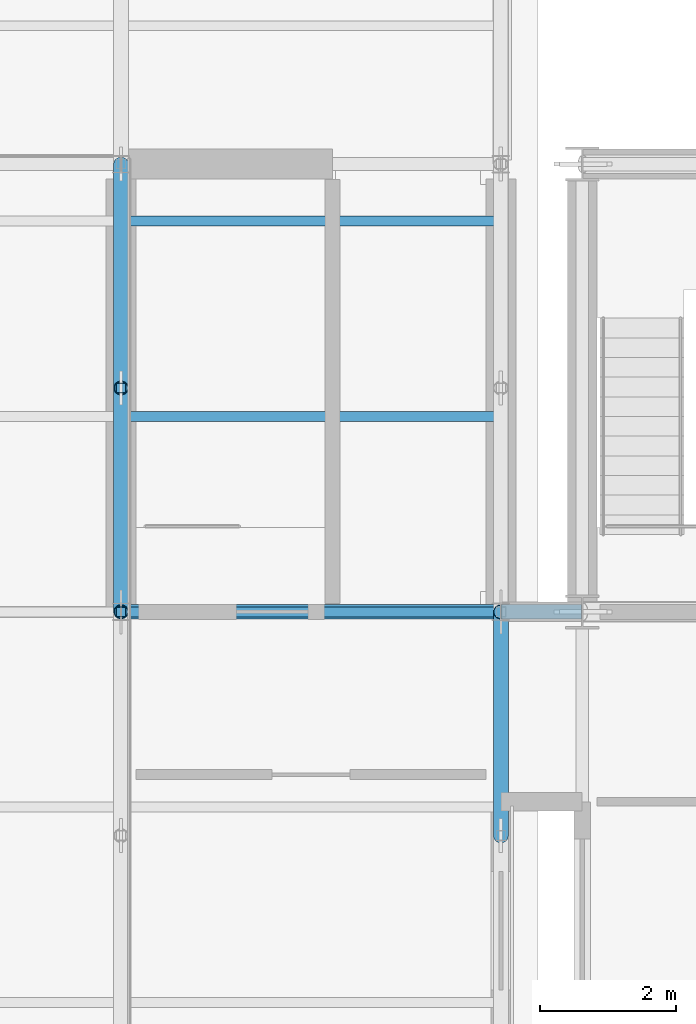
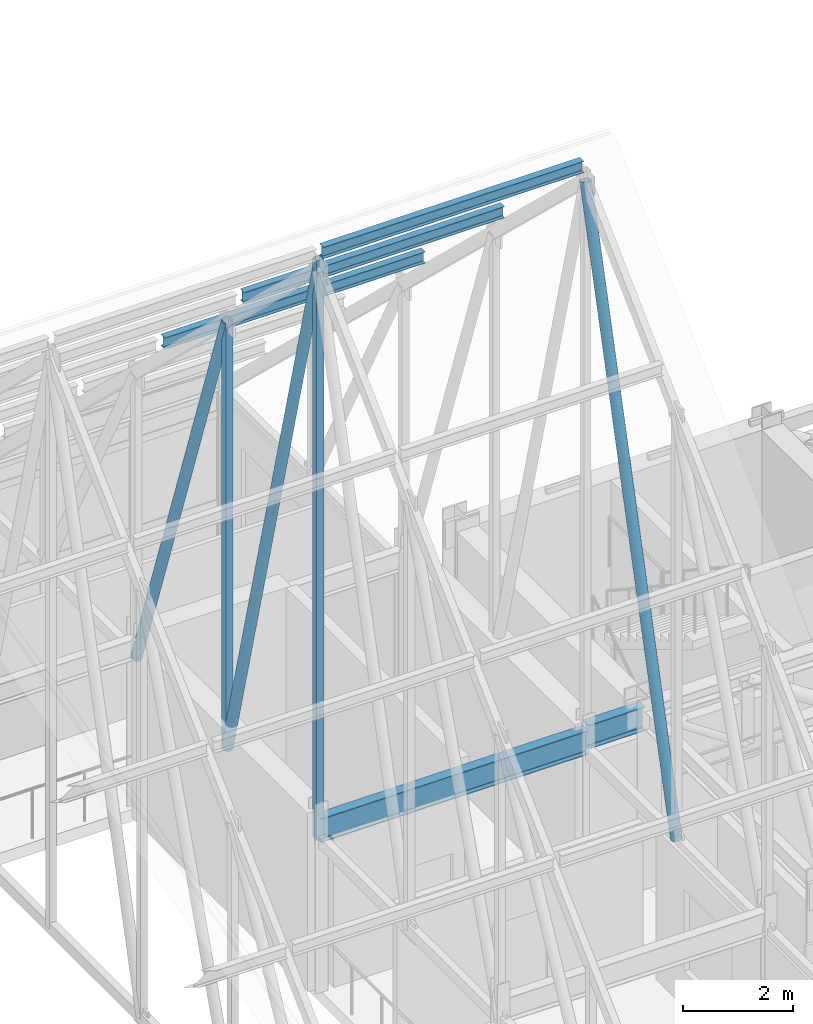
# One storey, part 54 of 144: 8 members, 2 beams.
"""IFC4 building model written with IfcOpenShell, lengths in metres."""

import ifcopenshell
import ifcopenshell.guid

model = None  # the IFC model being written
_history = None  # IfcOwnerHistory: only IFC2X3 demands one
_inside = {}  # id of a spatial element -> (the spatial element, [elements in it])
_under = {}  # id of a project, library or spatial element -> (it, [spatial elements below it])
_declared = {}  # id of a project -> (the project, [libraries it declares])
_typed = {}  # id of a type object -> (the type object, [elements of that type])
_made_of = {}  # id of a material, layer set ... -> (it, [elements and type objects made of it])


def new_model(schema):
    """Start an empty IFC model of exactly this schema.

    Asked for "IFC4X3", IfcOpenShell would pick the latest addendum, in which some entities
    have other attributes; the version numbers below select the first issue.
    IFC2X3 requires an IfcOwnerHistory on every rooted entity: one is made here for all.
    """
    global model, _history
    if schema == "IFC4X3":
        model = ifcopenshell.file(schema_version=(4, 3, 0, 0))
    else:
        model = ifcopenshell.file(schema=schema)
    _inside.clear()
    _under.clear()
    _declared.clear()
    _typed.clear()
    _made_of.clear()
    _history = None
    if model.schema == "IFC2X3":
        org = make("IfcOrganization", Name="unknown")
        user = make(
            "IfcPersonAndOrganization",
            ThePerson=make("IfcPerson", FamilyName="unknown"),
            TheOrganization=org,
        )
        app = make(
            "IfcApplication",
            ApplicationDeveloper=org,
            Version="unknown",
            ApplicationFullName="unknown",
            ApplicationIdentifier="unknown",
        )
        _history = make(
            "IfcOwnerHistory",
            OwningUser=user,
            OwningApplication=app,
            ChangeAction="ADDED",
            CreationDate=0,
        )
    return model


def make(cls, **values):
    """One entity of the class cls with the attributes given. An attribute that is None is left unset."""
    return model.create_entity(
        cls, **{name: value for name, value in values.items() if value is not None}
    )


def rooted(cls, **values):
    """An entity with a GlobalId (a new one), such as an element, a storey or a relation."""
    return make(cls, GlobalId=ifcopenshell.guid.new(), OwnerHistory=_history, **values)


def si_unit(unit_type, name, prefix=None):
    """IfcSIUnit, for example si_unit("LENGTHUNIT", "METRE", prefix="MILLI")."""
    return make("IfcSIUnit", UnitType=unit_type, Prefix=prefix, Name=name)


def assignment(units):
    """IfcUnitAssignment: the units of a project."""
    return None if units is None else make("IfcUnitAssignment", Units=units)


def point(xyz):
    """IfcCartesianPoint."""
    return None if xyz is None else make("IfcCartesianPoint", Coordinates=xyz)


def direction(xyz):
    """IfcDirection."""
    return None if xyz is None else make("IfcDirection", DirectionRatios=xyz)


def frame(location, z_axis=None, x_axis=None):
    """IfcAxis2Placement3D, a coordinate frame: its origin and axes. An axis left out is left unset."""
    return make(
        "IfcAxis2Placement3D",
        Location=point(location),
        Axis=direction(z_axis),
        RefDirection=direction(x_axis),
    )


def frame_2d(location, x_axis=None):
    """IfcAxis2Placement2D, a coordinate frame in the plane: its origin and x axis."""
    return make(
        "IfcAxis2Placement2D", Location=point(location), RefDirection=direction(x_axis)
    )


def origin():
    """The frame at (0, 0, 0) with its axes left unset."""
    return frame((0.0, 0.0, 0.0))


def origin_2d():
    """The frame at (0, 0) in the plane with its x axis left unset."""
    return frame_2d((0.0, 0.0))


def place(relative_to, where):
    """IfcLocalPlacement: puts the frame where relative to a parent placement (None: the world)."""
    return make(
        "IfcLocalPlacement", PlacementRelTo=relative_to, RelativePlacement=where
    )


def context(
    kind, dimensions, precision=None, world=None, true_north=None, identifier=None
):
    """IfcGeometricRepresentationContext, for example the 3D "Model" context."""
    return make(
        "IfcGeometricRepresentationContext",
        ContextIdentifier=identifier,
        ContextType=kind,
        CoordinateSpaceDimension=dimensions,
        Precision=precision,
        WorldCoordinateSystem=world,
        TrueNorth=true_north,
    )


def subcontext(parent, identifier, kind, view, scale=None):
    """IfcGeometricRepresentationSubContext, for example "Body" below "Model"."""
    return make(
        "IfcGeometricRepresentationSubContext",
        ContextIdentifier=identifier,
        ContextType=kind,
        ParentContext=parent,
        TargetScale=scale,
        TargetView=view,
    )


def project(units=None, contexts=None):
    """IfcProject with its units and contexts."""
    return rooted(
        "IfcProject",
        Name="project",
        RepresentationContexts=contexts,
        UnitsInContext=assignment(units),
    )


def spatial(cls, under=None, at=None, **own):
    """A site, building, storey or space (cls), placed at a placement, below another one or the project."""
    s = rooted(cls, ObjectPlacement=at, **own)
    if under is not None:
        _under.setdefault(under.id(), (under, []))[1].append(s)
    return s


def profile(cls, at=None, kind="AREA", **sizes):
    """A parametric profile (cls). Its sizes go by their IFC names, for example OverallWidth=200.0."""
    return make(cls, ProfileType=kind, Position=at, **sizes)


def hollow_rectangle(**sizes):
    """IfcRectangleHollowProfileDef."""
    return profile("IfcRectangleHollowProfileDef", **sizes)


def hollow_circle(**sizes):
    """IfcCircleHollowProfileDef."""
    return profile("IfcCircleHollowProfileDef", **sizes)


def i_section(**sizes):
    """IfcIShapeProfileDef."""
    return profile("IfcIShapeProfileDef", **sizes)


def extrude(swept, where, along, depth):
    """IfcExtrudedAreaSolid: the profile swept, set in the frame where, extruded along a direction by depth."""
    return make(
        "IfcExtrudedAreaSolid",
        SweptArea=swept,
        Position=where,
        ExtrudedDirection=direction(along),
        Depth=depth,
    )


def shape(context_of_items, identifier, shape_type, items):
    """IfcShapeRepresentation: the items that make up one representation, for example the "Body"."""
    return make(
        "IfcShapeRepresentation",
        ContextOfItems=context_of_items,
        RepresentationIdentifier=identifier,
        RepresentationType=shape_type,
        Items=items,
    )


def material(Name=None, Category=None):
    """IfcMaterial."""
    return make("IfcMaterial", Name=Name, Category=Category)


def material_profile(
    of_material, cross_section, Name=None, Category=None, Priority=None
):
    """IfcMaterialProfile: a cross section and its material."""
    return make(
        "IfcMaterialProfile",
        Name=Name,
        Material=of_material,
        Profile=cross_section,
        Priority=Priority,
        Category=Category,
    )


def profile_set(profiles, Name=None, composite=None):
    """IfcMaterialProfileSet."""
    return make(
        "IfcMaterialProfileSet",
        Name=Name,
        MaterialProfiles=profiles,
        CompositeProfile=composite,
    )


def made_of(thing, what):
    """Note that an element or type object is made of a material, layer set ...; save() writes the relation."""
    if what is not None:
        _made_of.setdefault(what.id(), (what, []))[1].append(thing)
    return thing


def type_object(cls, material=None, **own):
    """A type object (cls), such as IfcWallType, which elements share."""
    return made_of(rooted(cls, **own), material)


def element(
    cls,
    number,
    at=None,
    inside=None,
    cuts=None,
    type_object=None,
    material=None,
    context=None,
    identifier="Body",
    shape_type=None,
    held_by="IfcProductDefinitionShape",
    body=None,
    shapes=None,
    **own,
):
    """One element of the class cls, such as IfcWall. Its Tag is "e" and its number.

    at: its placement. inside: the storey or other place that contains it. cuts: it is an
    opening in that element (IfcRelVoidsElement). A single representation is given by context,
    identifier, shape_type and body (its items); several are given by shapes. held_by: the class
    of the entity that holds the representations. save() writes the other relations.
    """
    e = rooted(cls, Tag="e%d" % number, ObjectPlacement=at, **own)
    if body is not None:
        shapes = [shape(context, identifier, shape_type, body)]
    if shapes is not None:
        e.Representation = make(held_by, Representations=shapes)
    if inside is not None:
        _inside.setdefault(inside.id(), (inside, []))[1].append(e)
    if cuts is not None:
        rooted(
            "IfcRelVoidsElement", RelatingBuildingElement=cuts, RelatedOpeningElement=e
        )
    if type_object is not None:
        _typed.setdefault(type_object.id(), (type_object, []))[1].append(e)
    return made_of(e, material)


def aggregate(whole, parts):
    """IfcRelAggregates: a whole, such as a stair, and the parts it consists of."""
    return rooted("IfcRelAggregates", RelatingObject=whole, RelatedObjects=parts)


def save(model, path):
    """Write the relations noted so far, then the file.

    IfcRelAggregates (storeys below a building ...), IfcRelContainedInSpatialStructure (elements
    in a storey), IfcRelDefinesByType, IfcRelAssociatesMaterial and IfcRelDeclares: one each for
    every whole, place, type object, material and project.
    """
    for whole, parts in _under.values():
        aggregate(whole, parts)
    for where, things in _inside.values():
        rooted(
            "IfcRelContainedInSpatialStructure",
            RelatedElements=things,
            RelatingStructure=where,
        )
    for kind, things in _typed.values():
        rooted("IfcRelDefinesByType", RelatedObjects=things, RelatingType=kind)
    for what, things in _made_of.values():
        rooted("IfcRelAssociatesMaterial", RelatedObjects=things, RelatingMaterial=what)
    for by, libraries in _declared.values():
        rooted("IfcRelDeclares", RelatingContext=by, RelatedDefinitions=libraries)
    model.write(path)


model = new_model("IFC4")

# Units and contexts
model_context = context("Model", 3, precision=1e-05, world=origin(), true_north=direction((0.0, 1.0)))
body_context = subcontext(model_context, "Body", "Model", "MODEL_VIEW")
ifc_project = project(units=[si_unit("LENGTHUNIT", "METRE"), si_unit("AREAUNIT", "SQUARE_METRE"), si_unit("VOLUMEUNIT", "CUBIC_METRE"), si_unit("PLANEANGLEUNIT", "RADIAN"), si_unit("MASSUNIT", "GRAM", prefix="KILO")], contexts=[model_context])

# Site, building, storey
site_placement = place(None, origin())
site = spatial("IfcSite", under=ifc_project, at=site_placement, CompositionType="ELEMENT")
building_placement = place(site_placement, origin())
building = spatial("IfcBuilding", under=site, at=building_placement, Name="Trelmorton Wharf Fire Station", CompositionType="ELEMENT")
storey_placement = place(building_placement, frame((0.0, 0.0, 5.39990234375)))
storey = spatial("IfcBuildingStorey", under=building, at=storey_placement, Name="L01", CompositionType="ELEMENT", Elevation=5.39990234375)

# Beams
ifc_material_1 = material(Name="Steel Grade 350", Category="steel")
ifc_material_profile_1 = material_profile(ifc_material_1, i_section(OverallWidth=0.208984375, OverallDepth=0.528076171875, WebThickness=0.009521484375, FlangeThickness=0.01318359375, FilletRadius=0.013916015625, at=origin_2d()), Name="530UB82.0")
ifc_profile_set_1 = profile_set([ifc_material_profile_1], Name="Steel Grade 350")
beam_type = type_object("IfcBeamType", Name="BM_530UB82", PredefinedType="BEAM", material=ifc_profile_set_1)
beam_1_placement = place(storey_placement, frame((51.2041015625, 21.0, 3.55615234375), z_axis=(1.0, 0.0, 0.0), x_axis=(0.0, 1.0, 0.0)))
element("IfcBeam", 1, at=beam_1_placement, inside=storey, type_object=beam_type, Name="BM-L01-0437", PredefinedType="BEAM", context=body_context, shape_type="SweptSolid", body=[
    extrude(i_section(OverallWidth=0.208984375, OverallDepth=0.528076171875, WebThickness=0.009521484375, FlangeThickness=0.01318359375, FilletRadius=0.013916015625, at=origin_2d()), origin(), (0.0, 0.0, 1.0), 5.591796875),
])
beam_2_placement = place(storey_placement, frame((56.803955078125, 21.0, 3.666015625), z_axis=(1.0, 0.0, 0.0), x_axis=(0.0, 1.0, 0.0)))
element("IfcBeam", 2, at=beam_2_placement, inside=storey, type_object=beam_type, Name="BM-L01-0438", PredefinedType="BEAM", context=body_context, shape_type="SweptSolid", body=[
    extrude(i_section(OverallWidth=0.208984375, OverallDepth=0.528076171875, WebThickness=0.009521484375, FlangeThickness=0.01318359375, FilletRadius=0.013916015625, at=origin_2d()), origin(), (0.0, 0.0, 1.0), 1.18798828125),
])

# Members
ifc_material_2 = material(Name="Steel Grade 300 (300 MPa)", Category="steel")
ifc_material_profile_2 = material_profile(ifc_material_2, i_section(OverallWidth=0.14599609375, OverallDepth=0.256103515625, WebThickness=0.00634765625, FlangeThickness=0.010986328125, FilletRadius=0.0087890625, at=origin_2d()), Name="250UB37.3")
ifc_profile_set_2 = profile_set([ifc_material_profile_2], Name="Steel Grade 300 (300 MPa)")
member_type_1 = type_object("IfcMemberType", Name="PR_250UB37", PredefinedType="PURLIN", material=ifc_profile_set_2)
for number, where, z_axis, x_axis, name in (
    (3, (51.27197265625, 21.0, 16.311767578125), (1.0, 0.0, 0.0), (0.0, 1.0, 0.0), "V1-PR-B10-S5"),
    (4, (51.27197265625, 23.8798828125, 13.5625), (1.0, 0.0, 0.0), (0.0, 1.0, 0.0), "V1-PR-B10-N1"),
    (5, (51.27197265625, 26.760009765625, 10.8134765625), (1.0, 0.0, 0.0), (0.0, 1.0, 0.0), "V1-PR-B10-N2"),
):
    element("IfcMember", number, at=place(storey_placement, frame(where, z_axis=z_axis, x_axis=x_axis)), inside=storey, type_object=member_type_1, Name=name, PredefinedType="PURLIN", context=body_context, shape_type="SweptSolid", body=[
        extrude(i_section(OverallWidth=0.14599609375, OverallDepth=0.256103515625, WebThickness=0.00634765625, FlangeThickness=0.010986328125, FilletRadius=0.0087890625, at=origin_2d()), origin(), (0.0, 0.0, 1.0), 5.4560546875),
    ])
ifc_material_3 = material(Name="Steel C350L0 (350 MPa)", Category="steel")
ifc_material_profile_3 = material_profile(ifc_material_3, hollow_circle(Radius=0.109619140625, WallThickness=0.00830078125, at=origin_2d()), Name="219.1x8.2CHS")
ifc_profile_set_3 = profile_set([ifc_material_profile_3], Name="Steel C350L0 (350 MPa)")
member_type_2 = type_object("IfcMemberType", Name="TR_DIAG_219CHS", PredefinedType="STRUT", material=ifc_profile_set_3)
member_1_placement = place(storey_placement, frame((51.199951171875, 27.60009765625, 3.351806640625), z_axis=(0.0, -0.329681107508, 0.944092351072), x_axis=(1.0, 0.0, 0.0)))
element("IfcMember", 6, at=member_1_placement, inside=storey, type_object=member_type_2, Name="V1-TR10-DG-N2", PredefinedType="STRUT", context=body_context, shape_type="SweptSolid", body=[
    extrude(hollow_circle(Radius=0.109619140625, WallThickness=0.00830078125, at=origin_2d()), origin(), (0.0, 0.0, 1.0), 10.009765625),
])
for number, where, z_axis, x_axis, name in (
    (7, (51.199951171875, 24.300048828125, 3.351806640625), (0.0, -0.25336106238, 0.967371785856), (1.0, 0.0, 0.0), "V1-TR10-DG-N3"),
    (8, (56.800048828125, 17.699951171875, 3.351806640625), (0.0, 0.25336106238, 0.967371785856), (-1.0, 0.0, 0.0), "V1-TR11-DG-S3"),
):
    element("IfcMember", number, at=place(storey_placement, frame(where, z_axis=z_axis, x_axis=x_axis)), inside=storey, type_object=member_type_2, Name=name, PredefinedType="STRUT", context=body_context, shape_type="SweptSolid", body=[
        extrude(hollow_circle(Radius=0.109619140625, WallThickness=0.00830078125, at=origin_2d()), origin(), (0.0, 0.0, 1.0), 13.025146484375),
    ])
ifc_material_profile_4 = material_profile(ifc_material_3, hollow_rectangle(XDim=0.14990234375, YDim=0.14990234375, WallThickness=0.009033203125, at=origin_2d()), Name="150x150x9.0SHS")
ifc_profile_set_4 = profile_set([ifc_material_profile_4], Name="Steel C350L0 (350 MPa)")
member_type_3 = type_object("IfcMemberType", Name="TR_POST_150SHS", PredefinedType="POST", material=ifc_profile_set_4)
member_2_placement = place(storey_placement, frame((51.199951171875, 21.0, 3.351806640625), z_axis=(0.0, 0.0, 1.0), x_axis=(1.0, 0.0, 0.0)))
element("IfcMember", 9, at=member_2_placement, inside=storey, type_object=member_type_3, Name="V1-TR10-KP", PredefinedType="POST", context=body_context, shape_type="SweptSolid", body=[
    extrude(hollow_rectangle(XDim=0.14990234375, YDim=0.14990234375, WallThickness=0.009033203125, at=origin_2d()), origin(), (0.0, 0.0, 1.0), 12.8359375),
])
member_3_placement = place(storey_placement, frame((51.199951171875, 24.300048828125, 3.351806640625), z_axis=(0.0, 0.0, 1.0), x_axis=(1.0, 0.0, 0.0)))
element("IfcMember", 10, at=member_3_placement, inside=storey, type_object=member_type_3, Name="V1-TR10-VP-N3", PredefinedType="POST", context=body_context, shape_type="SweptSolid", body=[
    extrude(hollow_rectangle(XDim=0.14990234375, YDim=0.14990234375, WallThickness=0.009033203125, at=origin_2d()), origin(), (0.0, 0.0, 1.0), 9.4501953125),
])

save(model, "model.ifc")
